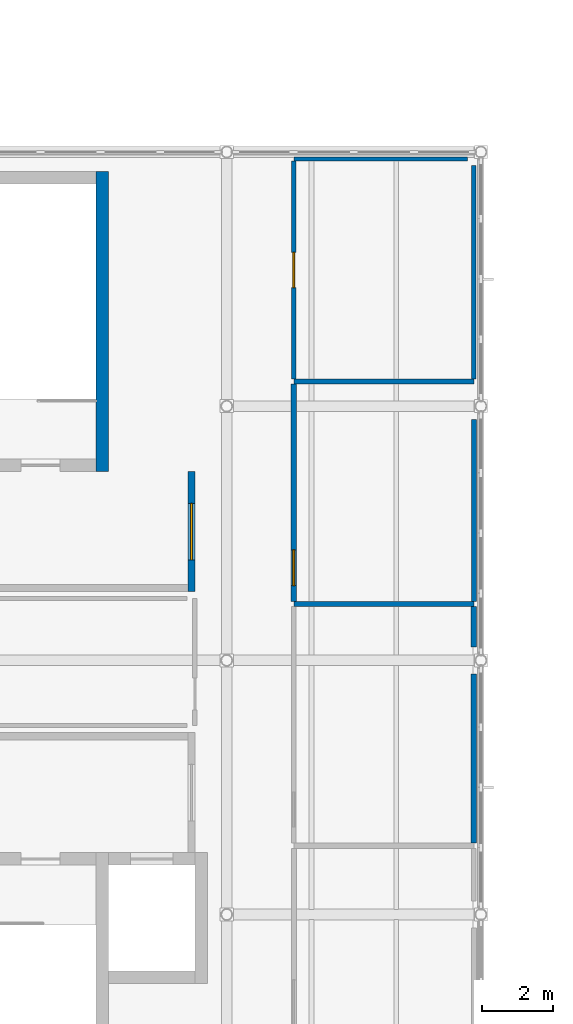
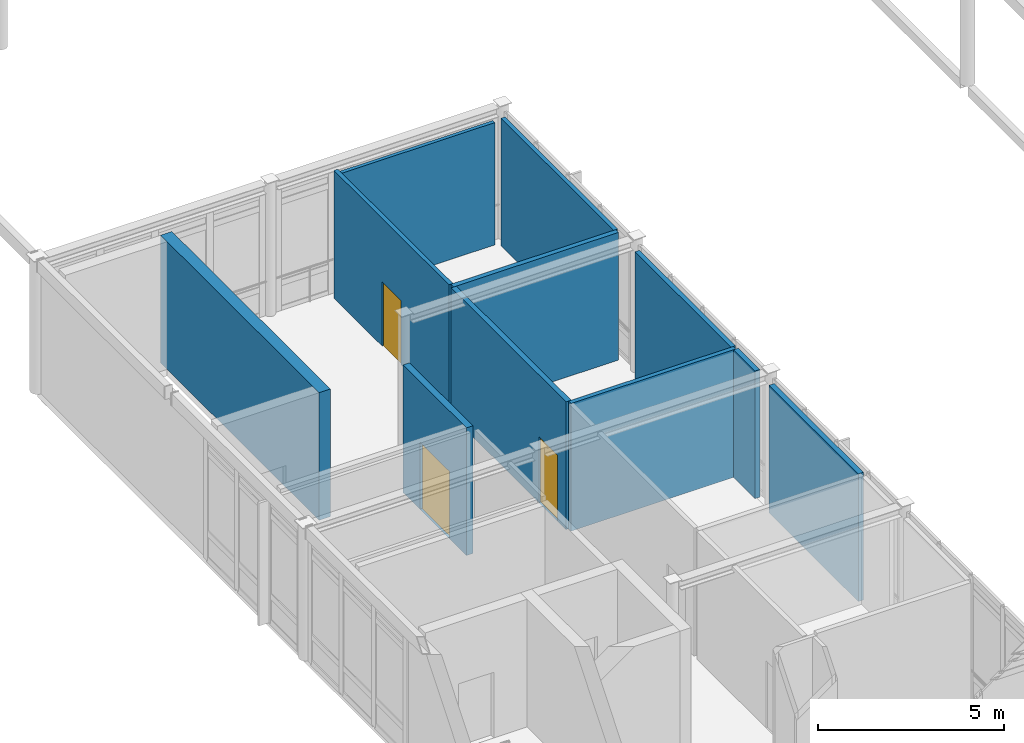
# One storey, part 58 of 72: 11 walls, 3 doors, 3 openings.
"""IFC4 building model written with IfcOpenShell, lengths in metres."""

from ifc_helpers import new_model, si_unit, direction, frame, frame_2d, origin, place, context, subcontext, project, spatial, rectangle, extrude, material, layer, layer_set, type_object, element, fill, save


model = new_model("IFC4")

# Units and contexts
model_context = context("Model", 3, precision=1e-05, world=origin(), true_north=direction((0.0, 1.0)))
body_context = subcontext(model_context, "Body", "Model", "MODEL_VIEW")
ifc_project = project(units=[si_unit("LENGTHUNIT", "METRE"), si_unit("AREAUNIT", "SQUARE_METRE"), si_unit("VOLUMEUNIT", "CUBIC_METRE"), si_unit("PLANEANGLEUNIT", "RADIAN"), si_unit("MASSUNIT", "GRAM", prefix="KILO")], contexts=[model_context])

# Site, building, storey
site_placement = place(None, origin())
site = spatial("IfcSite", under=ifc_project, at=site_placement, CompositionType="ELEMENT")
building_placement = place(site_placement, origin())
building = spatial("IfcBuilding", under=site, at=building_placement, Name="Zarrinpeak Specialist Clinic", CompositionType="ELEMENT")
storey_placement = place(building_placement, frame((0.0, 0.0, 9.60009765625)))
storey = spatial("IfcBuildingStorey", under=building, at=storey_placement, Name="L02", CompositionType="ELEMENT", Elevation=9.60009765625)

# Walls
ifc_material_1 = material(Name="Concrete C40/50", Category="concrete")
ifc_layer_1 = layer(ifc_material_1, 0.35009765625)
ifc_layer_set_1 = layer_set([ifc_layer_1], Name="Concrete C40/50")
wall_type_1 = type_object("IfcWallType", Name="WL-CR350", PredefinedType="SHEAR", material=ifc_layer_set_1)
wall_1_placement = place(storey_placement, frame((97.27490234375, 48.550048828125, 0.0), z_axis=(0.0, 0.0, 1.0), x_axis=(0.0, 1.0, 0.0)))
element("IfcWall", 1, at=wall_1_placement, inside=storey, type_object=wall_type_1, Name="L02 Core C06 Shear Wall STE", PredefinedType="SHEAR", context=body_context, shape_type="SweptSolid", body=[
    extrude(rectangle(XDim=8.5, YDim=0.35009765625, at=frame_2d((4.25, 0.0))), origin(), (0.0, 0.0, 1.0), 4.179931640625),
])
ifc_material_2 = material(Name="Sanitary Service Chase Plumbing Wall", Category="gypsum")
ifc_layer_2 = layer(ifc_material_2, 0.110107421875)
ifc_layer_set_2 = layer_set([ifc_layer_2], Name="Sanitary Service Chase Plumbing Wall")
wall_type_2 = type_object("IfcWallType", Name="WL-IW110", PredefinedType="PARTITIONING", material=ifc_layer_set_2)
wall_2_placement = place(storey_placement, frame((102.699951171875, 57.39990234375, 0.0), z_axis=(0.0, 0.0, 1.0), x_axis=(1.0, 0.0, 0.0)))
element("IfcWall", 2, at=wall_2_placement, inside=storey, type_object=wall_type_2, Name="L02 Accessible Mezzanine WC Partition", PredefinedType="PARTITIONING", context=body_context, shape_type="SweptSolid", body=[
    extrude(rectangle(XDim=4.920166015625, YDim=0.110107421875, at=frame_2d((2.4599609375, 0.0))), origin(), (0.0, 0.0, 1.0), 4.0048828125),
])

# Wall, opening, door
ifc_material_3 = material(Name="Moisture-Resistant Wet-Room Partition", Category="gypsum")
ifc_layer_3 = layer(ifc_material_3, 0.125)
ifc_layer_set_3 = layer_set([ifc_layer_3], Name="Moisture-Resistant Wet-Room Partition")
wall_type_3 = type_object("IfcWallType", Name="WL-IW125W", PredefinedType="PARTITIONING", material=ifc_layer_set_3)
wall_3_placement = place(storey_placement, frame((102.699951171875, 51.175048828125, 0.0), z_axis=(0.0, 0.0, 1.0), x_axis=(0.0, 1.0, 0.0)))
wall_3 = element("IfcWall", 3, at=wall_3_placement, inside=storey, type_object=wall_type_3, Name="L02 Accessible Mezzanine WC Dividing Partition", PredefinedType="PARTITIONING", context=body_context, shape_type="SweptSolid", body=[
    extrude(rectangle(XDim=6.169921875, YDim=0.125, at=frame_2d((3.0849609375, 0.0))), origin(), (0.0, 0.0, 1.0), 4.179931640625),
])
opening_1_placement = place(wall_3_placement, frame((2.5849609375, 0.0, 0.0)))
opening_1 = element("IfcOpeningElement", 4, at=opening_1_placement, cuts=wall_3, Name="Opening D-W02", PredefinedType="OPENING", context=body_context, shape_type="SweptSolid", body=[
    extrude(rectangle(XDim=1.0, YDim=2.10009765625, at=frame_2d((0.5, 1.050048828125))), frame((0.0, 0.072509765625, 0.0), z_axis=(0.0, -1.0, 0.0), x_axis=(1.0, 0.0, 0.0)), (0.0, 0.0, 1.0), 0.14501953125),
])
ifc_material_4 = material(Name="Powder-Coated Galvanised Steel", Category="steel")
door_type_1 = type_object("IfcDoorType", Name="DR-AWC100", OperationType="SLIDING_TO_LEFT", PredefinedType="DOOR", material=ifc_material_4)
door_1_placement = place(opening_1_placement, origin())
door_1 = element("IfcDoor", 5, at=door_1_placement, inside=storey, type_object=door_type_1, Name="L02 Accessible Mezzanine WC Door", OperationType="SLIDING_TO_LEFT", OverallHeight=2.10009765625, OverallWidth=1.0, PredefinedType="DOOR", context=body_context, shape_type="SweptSolid", body=[
    extrude(rectangle(XDim=1.0, YDim=2.10009765625, at=frame_2d((0.5, 1.050048828125))), frame((0.0, 0.02490234375, 0.0), z_axis=(0.0, -1.0, 0.0), x_axis=(1.0, 0.0, 0.0)), (0.0, 0.0, 1.0), 0.050048828125),
])
fill(opening_1, door_1)

# Walls
wall_4_placement = place(storey_placement, frame((107.800048828125, 51.175048828125, 0.0), z_axis=(0.0, 0.0, 1.0), x_axis=(0.0, 1.0, 0.0)))
element("IfcWall", 6, at=wall_4_placement, inside=storey, type_object=wall_type_3, Name="L02 Accessible Mezzanine WC Dividing Partition", PredefinedType="PARTITIONING", context=body_context, shape_type="SweptSolid", body=[
    extrude(rectangle(XDim=6.044921875, YDim=0.125, at=frame_2d((3.0224609375, 0.0))), origin(), (0.0, 0.0, 1.0), 4.179931640625),
])
ifc_material_5 = material(Name="Standard Drywall Partition", Category="gypsum")
ifc_layer_4 = layer(ifc_material_5, 0.135009765625)
ifc_layer_set_4 = layer_set([ifc_layer_4], Name="Standard Drywall Partition")
wall_type_4 = type_object("IfcWallType", Name="WL-IW135", PredefinedType="PARTITIONING", material=ifc_layer_set_4)
wall_5_placement = place(storey_placement, frame((102.699951171875, 44.800048828125, 0.0), z_axis=(0.0, 0.0, 1.0), x_axis=(1.0, 0.0, 0.0)))
element("IfcWall", 7, at=wall_5_placement, inside=storey, type_object=wall_type_4, Name="L02 Mindfulness Recovery Lounge Partition", PredefinedType="PARTITIONING", context=body_context, shape_type="SweptSolid", body=[
    extrude(rectangle(XDim=5.10009765625, YDim=0.135009765625, at=frame_2d((2.550048828125, 0.0))), origin(), (0.0, 0.0, 1.0), 4.179931640625),
])
ifc_material_6 = material(Name="Acoustic Consultation Stud Partition", Category="gypsum")
ifc_layer_5 = layer(ifc_material_6, 0.14208984375)
ifc_layer_set_5 = layer_set([ifc_layer_5], Name="Acoustic Consultation Stud Partition")
wall_type_5 = type_object("IfcWallType", Name="WL-IW142", PredefinedType="PARTITIONING", material=ifc_layer_set_5)
wall_6_placement = place(storey_placement, frame((107.800048828125, 44.867431640625, 0.0), z_axis=(0.0, 0.0, 1.0), x_axis=(0.0, 1.0, 0.0)))
element("IfcWall", 8, at=wall_6_placement, inside=storey, type_object=wall_type_5, Name="L02 Rehab Case Coordinator Office Dividing Partition", PredefinedType="PARTITIONING", context=body_context, shape_type="SweptSolid", body=[
    extrude(rectangle(XDim=5.152587890625, YDim=0.14208984375, at=frame_2d((2.576171875, 0.0))), origin(), (0.0, 0.0, 1.0), 4.179931640625),
])
ifc_material_7 = material(Name="Insulated Clinical Gypsum Stud Partition", Category="gypsum")
ifc_layer_6 = layer(ifc_material_7, 0.14990234375)
ifc_layer_set_6 = layer_set([ifc_layer_6], Name="Insulated Clinical Gypsum Stud Partition")
wall_type_6 = type_object("IfcWallType", Name="WL-IW150", PredefinedType="PARTITIONING", material=ifc_layer_set_6)
wall_7_placement = place(storey_placement, frame((102.699951171875, 51.10009765625, 0.0), z_axis=(0.0, 0.0, 1.0), x_axis=(1.0, 0.0, 0.0)))
element("IfcWall", 9, at=wall_7_placement, inside=storey, type_object=wall_type_6, Name="L02 Rehab Case Coordinator Office Partition", PredefinedType="PARTITIONING", context=body_context, shape_type="SweptSolid", body=[
    extrude(rectangle(XDim=5.10009765625, YDim=0.14990234375, at=frame_2d((2.550048828125, 0.0))), origin(), (0.0, 0.0, 1.0), 4.179931640625),
])
wall_8_placement = place(storey_placement, frame((107.800048828125, 43.580078125, 0.0), z_axis=(0.0, 0.0, 1.0), x_axis=(0.0, 1.0, 0.0)))
element("IfcWall", 10, at=wall_8_placement, inside=storey, type_object=wall_type_6, Name="L02 Mindfulness Recovery Lounge Dividing Partition", PredefinedType="PARTITIONING", context=body_context, shape_type="SweptSolid", body=[
    extrude(rectangle(XDim=1.15234375, YDim=0.14990234375, at=frame_2d((0.576171875, 0.0))), origin(), (0.0, 0.0, 1.0), 4.179931640625),
])

# Wall, opening, door
ifc_material_8 = material(Name="Acoustic Double Gypsum Stud Partition", Category="gypsum")
ifc_layer_7 = layer(ifc_material_8, 0.159912109375)
ifc_layer_set_7 = layer_set([ifc_layer_7], Name="Acoustic Double Gypsum Stud Partition")
wall_type_7 = type_object("IfcWallType", Name="WL-IW160", PredefinedType="PARTITIONING", material=ifc_layer_set_7)
wall_9_placement = place(storey_placement, frame((102.699951171875, 44.867431640625, 0.0), z_axis=(0.0, 0.0, 1.0), x_axis=(0.0, 1.0, 0.0)))
wall_9 = element("IfcWall", 11, at=wall_9_placement, inside=storey, type_object=wall_type_7, Name="L02 Rehab Case Coordinator Office Dividing Partition", PredefinedType="PARTITIONING", context=body_context, shape_type="SweptSolid", body=[
    extrude(rectangle(XDim=6.157470703125, YDim=0.159912109375, at=frame_2d((3.07861328125, 0.0))), origin(), (0.0, 0.0, 1.0), 4.179931640625),
])
opening_2_placement = place(wall_9_placement, frame((0.449951171875, 0.0, 0.0)))
opening_2 = element("IfcOpeningElement", 12, at=opening_2_placement, cuts=wall_9, Name="Opening DS-58", PredefinedType="OPENING", context=body_context, shape_type="SweptSolid", body=[
    extrude(rectangle(XDim=1.010009765625, YDim=2.152099609375, at=frame_2d((0.5048828125, 1.076171875))), frame((0.0, 0.08984375, 0.0), z_axis=(0.0, -1.0, 0.0), x_axis=(1.0, 0.0, 0.0)), (0.0, 0.0, 1.0), 0.179931640625),
])
door_type_2 = type_object("IfcDoorType", Name="DR-SP58", OperationType="SINGLE_SWING_LEFT", PredefinedType="DOOR", material=ifc_material_4)
door_2_placement = place(opening_2_placement, origin())
door_2 = element("IfcDoor", 13, at=door_2_placement, inside=storey, type_object=door_type_2, Name="L02 Rehab Case Coordinator Office Door", OperationType="SINGLE_SWING_LEFT", OverallHeight=2.152099609375, OverallWidth=1.010009765625, PredefinedType="DOOR", context=body_context, shape_type="SweptSolid", body=[
    extrude(rectangle(XDim=1.010009765625, YDim=2.152099609375, at=frame_2d((0.5048828125, 1.076171875))), frame((0.0, 0.02490234375, 0.0), z_axis=(0.0, -1.0, 0.0), x_axis=(1.0, 0.0, 0.0)), (0.0, 0.0, 1.0), 0.050048828125),
])
fill(opening_2, door_2)

# Wall
wall_10_placement = place(storey_placement, frame((107.800048828125, 38.030029296875, 0.0), z_axis=(0.0, 0.0, 1.0), x_axis=(0.0, 1.0, 0.0)))
element("IfcWall", 14, at=wall_10_placement, inside=storey, type_object=wall_type_7, Name="L02 Mindfulness Recovery Lounge Dividing Partition", PredefinedType="PARTITIONING", context=body_context, shape_type="SweptSolid", body=[
    extrude(rectangle(XDim=4.7900390625, YDim=0.159912109375, at=frame_2d((2.39501953125, 0.0))), origin(), (0.0, 0.0, 1.0), 4.179931640625),
])

# Wall, opening, door
ifc_material_9 = material(Name="Autoclaved Aerated Concrete Blockwork", Category="masonry")
ifc_layer_8 = layer(ifc_material_9, 0.199951171875)
ifc_layer_set_8 = layer_set([ifc_layer_8], Name="Autoclaved Aerated Concrete Blockwork")
wall_type_8 = type_object("IfcWallType", Name="WL-IW200", PredefinedType="PARTITIONING", material=ifc_layer_set_8)
wall_11_placement = place(storey_placement, frame((99.800048828125, 45.14990234375, 0.0), z_axis=(0.0, 0.0, 1.0), x_axis=(0.0, 1.0, 0.0)))
wall_11 = element("IfcWall", 15, at=wall_11_placement, inside=storey, type_object=wall_type_8, Name="L02 C06 Protected Lobby Partition LBF", PredefinedType="PARTITIONING", context=body_context, shape_type="SweptSolid", body=[
    extrude(rectangle(XDim=3.400146484375, YDim=0.199951171875, at=frame_2d((1.7001953125, 0.0))), origin(), (0.0, 0.0, 1.0), 4.179931640625),
])
opening_3_placement = place(wall_11_placement, frame((0.89990234375, 0.0, 0.0)))
opening_3 = element("IfcOpeningElement", 16, at=opening_3_placement, cuts=wall_11, Name="Opening D-L01", PredefinedType="OPENING", context=body_context, shape_type="SweptSolid", body=[
    extrude(rectangle(XDim=1.60009765625, YDim=2.199951171875, at=frame_2d((0.800048828125, 1.10009765625))), frame((0.0, 0.10986328125, 0.0), z_axis=(0.0, -1.0, 0.0), x_axis=(1.0, 0.0, 0.0)), (0.0, 0.0, 1.0), 0.219970703125),
])
door_type_3 = type_object("IfcDoorType", Name="DR-LB160", OperationType="DOUBLE_DOOR_SINGLE_SWING", PredefinedType="DOOR", material=ifc_material_4)
door_3_placement = place(opening_3_placement, origin())
door_3 = element("IfcDoor", 17, at=door_3_placement, inside=storey, type_object=door_type_3, Name="L02 C06 Lobby Hold-Open Fire Door", OperationType="DOUBLE_DOOR_SINGLE_SWING", OverallHeight=2.199951171875, OverallWidth=1.60009765625, PredefinedType="DOOR", context=body_context, shape_type="SweptSolid", body=[
    extrude(rectangle(XDim=1.60009765625, YDim=2.199951171875, at=frame_2d((0.800048828125, 1.10009765625))), frame((0.0, 0.02490234375, 0.0), z_axis=(0.0, -1.0, 0.0), x_axis=(1.0, 0.0, 0.0)), (0.0, 0.0, 1.0), 0.050048828125),
])
fill(opening_3, door_3)

save(model, "model.ifc")
